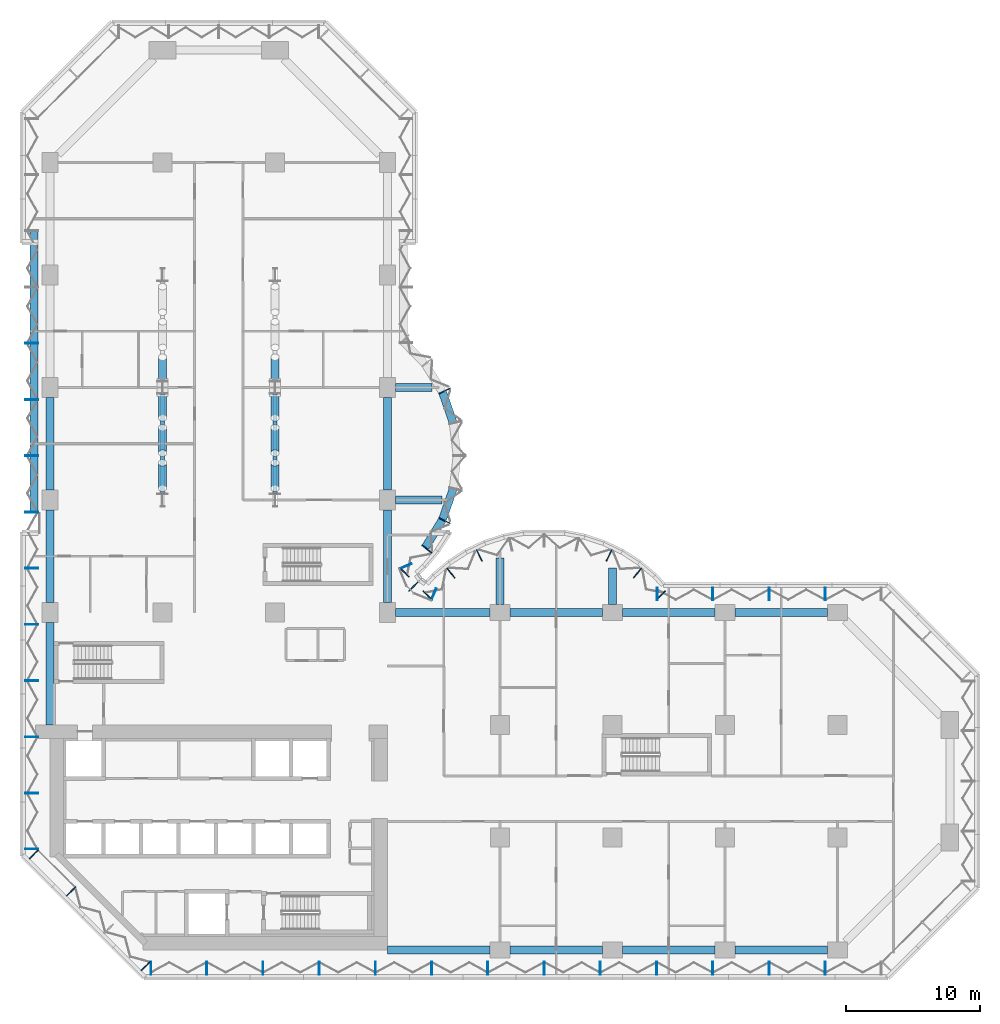
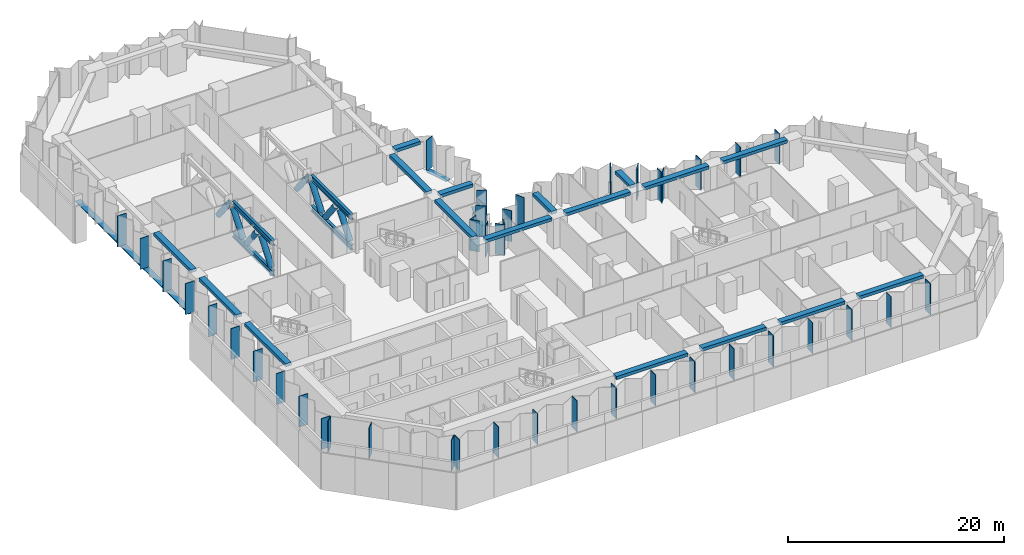
# One storey, part 3 of 24: 59 members, 17 beams, 7 elements without a shape of their own.
"""IFC4 building model written with IfcOpenShell, lengths in metres."""

from ifc_helpers import new_model, si_unit, direction, frame, origin, origin_2d, place, context, subcontext, project, spatial, rectangle, hollow_circle, i_section, extrude, material, material_profile, profile_set, type_object, element, aggregate, save


model = new_model("IFC4")

# Units and contexts
model_context = context("Model", 3, precision=1e-05, world=origin(), true_north=direction((0.0, 1.0)))
body_context = subcontext(model_context, "Body", "Model", "MODEL_VIEW")
ifc_project = project(units=[si_unit("LENGTHUNIT", "METRE"), si_unit("AREAUNIT", "SQUARE_METRE"), si_unit("VOLUMEUNIT", "CUBIC_METRE"), si_unit("PLANEANGLEUNIT", "RADIAN"), si_unit("MASSUNIT", "GRAM", prefix="KILO")], contexts=[model_context])

# Site, building, storey
site_placement = place(None, origin())
site = spatial("IfcSite", under=ifc_project, at=site_placement, CompositionType="ELEMENT")
building_placement = place(site_placement, origin())
building = spatial("IfcBuilding", under=site, at=building_placement, Name="Brevane Broadcast Tower", CompositionType="ELEMENT")
storey_placement = place(building_placement, frame((0.0, 0.0, 36.5)))
storey = spatial("IfcBuildingStorey", under=building, at=storey_placement, Name="L06", CompositionType="ELEMENT", Elevation=36.5)

# Curtain wall, members
ifc_material_1 = material(Name="Aluminium 6063-T6 bronze anodised", Category="aluminium")
curtain_wall_type = type_object("IfcCurtainWallType", Name="CW-1 curtain wall", PredefinedType="NOTDEFINED", material=ifc_material_1)
curtain_wall_1_placement = place(storey_placement, origin())
curtain_wall_1 = element("IfcCurtainWall", 1, at=curtain_wall_1_placement, inside=storey, type_object=curtain_wall_type, Name="CW-1 typical tilted unit L06 south face", PredefinedType="NOTDEFINED")
ifc_material_profile_1 = material_profile(ifc_material_1, rectangle(XDim=0.949951171875, YDim=0.070068359375, at=origin_2d()), Name="RECT 70x950")
ifc_profile_set_1 = profile_set([ifc_material_profile_1], Name="Aluminium 6063-T6 bronze anodised")
member_type_1 = type_object("IfcMemberType", Name="CW-1 mullion 70x950", PredefinedType="MULLION", material=ifc_profile_set_1)
member_1_placement = place(storey_placement, frame((7.534912109375, -1.375, -0.14990234375), z_axis=(0.0, 0.0, 1.0), x_axis=(0.0, 1.0, 0.0)))
member_1 = element("IfcMember", 2, at=member_1_placement, type_object=member_type_1, Name="CW-1 mullion", PredefinedType="MULLION", context=body_context, shape_type="SweptSolid", body=[
    extrude(rectangle(XDim=0.949951171875, YDim=0.070068359375, at=origin_2d()), origin(), (0.0, 0.0, 1.0), 3.5),
])
member_2_placement = place(storey_placement, frame((11.699951171875, -1.375, -0.14990234375), z_axis=(0.0, 0.0, 1.0), x_axis=(0.0, 1.0, 0.0)))
member_2 = element("IfcMember", 3, at=member_2_placement, type_object=member_type_1, Name="CW-1 mullion", PredefinedType="MULLION", context=body_context, shape_type="SweptSolid", body=[
    extrude(rectangle(XDim=0.949951171875, YDim=0.070068359375, at=origin_2d()), origin(), (0.0, 0.0, 1.0), 3.5),
])
member_3_placement = place(storey_placement, frame((15.89990234375, -1.375, -0.14990234375), z_axis=(0.0, 0.0, 1.0), x_axis=(0.0, 1.0, 0.0)))
member_3 = element("IfcMember", 4, at=member_3_placement, type_object=member_type_1, Name="CW-1 mullion", PredefinedType="MULLION", context=body_context, shape_type="SweptSolid", body=[
    extrude(rectangle(XDim=0.949951171875, YDim=0.070068359375, at=origin_2d()), origin(), (0.0, 0.0, 1.0), 3.5),
])
member_4_placement = place(storey_placement, frame((20.10009765625, -1.375, -0.14990234375), z_axis=(0.0, 0.0, 1.0), x_axis=(0.0, 1.0, 0.0)))
member_4 = element("IfcMember", 5, at=member_4_placement, type_object=member_type_1, Name="CW-1 mullion", PredefinedType="MULLION", context=body_context, shape_type="SweptSolid", body=[
    extrude(rectangle(XDim=0.949951171875, YDim=0.070068359375, at=origin_2d()), origin(), (0.0, 0.0, 1.0), 3.5),
])
member_5_placement = place(storey_placement, frame((24.300048828125, -1.375, -0.14990234375), z_axis=(0.0, 0.0, 1.0), x_axis=(0.0, 1.0, 0.0)))
member_5 = element("IfcMember", 6, at=member_5_placement, type_object=member_type_1, Name="CW-1 mullion", PredefinedType="MULLION", context=body_context, shape_type="SweptSolid", body=[
    extrude(rectangle(XDim=0.949951171875, YDim=0.070068359375, at=origin_2d()), origin(), (0.0, 0.0, 1.0), 3.5),
])
member_6_placement = place(storey_placement, frame((28.5, -1.375, -0.14990234375), z_axis=(0.0, 0.0, 1.0), x_axis=(0.0, 1.0, 0.0)))
member_6 = element("IfcMember", 7, at=member_6_placement, type_object=member_type_1, Name="CW-1 mullion", PredefinedType="MULLION", context=body_context, shape_type="SweptSolid", body=[
    extrude(rectangle(XDim=0.949951171875, YDim=0.070068359375, at=origin_2d()), origin(), (0.0, 0.0, 1.0), 3.5),
])
member_7_placement = place(storey_placement, frame((32.699951171875, -1.375, -0.14990234375), z_axis=(0.0, 0.0, 1.0), x_axis=(0.0, 1.0, 0.0)))
member_7 = element("IfcMember", 8, at=member_7_placement, type_object=member_type_1, Name="CW-1 mullion", PredefinedType="MULLION", context=body_context, shape_type="SweptSolid", body=[
    extrude(rectangle(XDim=0.949951171875, YDim=0.070068359375, at=origin_2d()), origin(), (0.0, 0.0, 1.0), 3.5),
])
member_8_placement = place(storey_placement, frame((36.89990234375, -1.375, -0.14990234375), z_axis=(0.0, 0.0, 1.0), x_axis=(0.0, 1.0, 0.0)))
member_8 = element("IfcMember", 9, at=member_8_placement, type_object=member_type_1, Name="CW-1 mullion", PredefinedType="MULLION", context=body_context, shape_type="SweptSolid", body=[
    extrude(rectangle(XDim=0.949951171875, YDim=0.070068359375, at=origin_2d()), origin(), (0.0, 0.0, 1.0), 3.5),
])
member_9_placement = place(storey_placement, frame((41.10009765625, -1.375, -0.14990234375), z_axis=(0.0, 0.0, 1.0), x_axis=(0.0, 1.0, 0.0)))
member_9 = element("IfcMember", 10, at=member_9_placement, type_object=member_type_1, Name="CW-1 mullion", PredefinedType="MULLION", context=body_context, shape_type="SweptSolid", body=[
    extrude(rectangle(XDim=0.949951171875, YDim=0.070068359375, at=origin_2d()), origin(), (0.0, 0.0, 1.0), 3.5),
])
member_10_placement = place(storey_placement, frame((45.300048828125, -1.375, -0.14990234375), z_axis=(0.0, 0.0, 1.0), x_axis=(0.0, 1.0, 0.0)))
member_10 = element("IfcMember", 11, at=member_10_placement, type_object=member_type_1, Name="CW-1 mullion", PredefinedType="MULLION", context=body_context, shape_type="SweptSolid", body=[
    extrude(rectangle(XDim=0.949951171875, YDim=0.070068359375, at=origin_2d()), origin(), (0.0, 0.0, 1.0), 3.5),
])
member_11_placement = place(storey_placement, frame((49.5, -1.375, -0.14990234375), z_axis=(0.0, 0.0, 1.0), x_axis=(0.0, 1.0, 0.0)))
member_11 = element("IfcMember", 12, at=member_11_placement, type_object=member_type_1, Name="CW-1 mullion", PredefinedType="MULLION", context=body_context, shape_type="SweptSolid", body=[
    extrude(rectangle(XDim=0.949951171875, YDim=0.070068359375, at=origin_2d()), origin(), (0.0, 0.0, 1.0), 3.5),
])
member_12_placement = place(storey_placement, frame((53.699951171875, -1.375, -0.14990234375), z_axis=(0.0, 0.0, 1.0), x_axis=(0.0, 1.0, 0.0)))
member_12 = element("IfcMember", 13, at=member_12_placement, type_object=member_type_1, Name="CW-1 mullion", PredefinedType="MULLION", context=body_context, shape_type="SweptSolid", body=[
    extrude(rectangle(XDim=0.949951171875, YDim=0.070068359375, at=origin_2d()), origin(), (0.0, 0.0, 1.0), 3.5),
])
member_13_placement = place(storey_placement, frame((57.89990234375, -1.375, -0.14990234375), z_axis=(0.0, 0.0, 1.0), x_axis=(0.0, 1.0, 0.0)))
member_13 = element("IfcMember", 14, at=member_13_placement, type_object=member_type_1, Name="CW-1 mullion", PredefinedType="MULLION", context=body_context, shape_type="SweptSolid", body=[
    extrude(rectangle(XDim=0.949951171875, YDim=0.070068359375, at=origin_2d()), origin(), (0.0, 0.0, 1.0), 3.5),
])
aggregate(curtain_wall_1, [member_1, member_2, member_3, member_4, member_5, member_6, member_7, member_8, member_9, member_10, member_11, member_12, member_13])

curtain_wall_2_placement = place(storey_placement, origin())
curtain_wall_2 = element("IfcCurtainWall", 15, at=curtain_wall_2_placement, inside=storey, type_object=curtain_wall_type, Name="CW-1 typical tilted unit L06 east arm north face", PredefinedType="NOTDEFINED")
member_14_placement = place(storey_placement, frame((57.89990234375, 26.574951171875, -0.14990234375), z_axis=(0.0, 0.0, 1.0), x_axis=(0.0, -1.0, 0.0)))
member_14 = element("IfcMember", 16, at=member_14_placement, type_object=member_type_1, Name="CW-1 mullion", PredefinedType="MULLION", context=body_context, shape_type="SweptSolid", body=[
    extrude(rectangle(XDim=0.949951171875, YDim=0.070068359375, at=origin_2d()), origin(), (0.0, 0.0, 1.0), 3.5),
])
member_15_placement = place(storey_placement, frame((53.699951171875, 26.574951171875, -0.14990234375), z_axis=(0.0, 0.0, 1.0), x_axis=(0.0, -1.0, 0.0)))
member_15 = element("IfcMember", 17, at=member_15_placement, type_object=member_type_1, Name="CW-1 mullion", PredefinedType="MULLION", context=body_context, shape_type="SweptSolid", body=[
    extrude(rectangle(XDim=0.949951171875, YDim=0.070068359375, at=origin_2d()), origin(), (0.0, 0.0, 1.0), 3.5),
])
member_16_placement = place(storey_placement, frame((49.5, 26.574951171875, -0.14990234375), z_axis=(0.0, 0.0, 1.0), x_axis=(0.0, -1.0, 0.0)))
member_16 = element("IfcMember", 18, at=member_16_placement, type_object=member_type_1, Name="CW-1 mullion", PredefinedType="MULLION", context=body_context, shape_type="SweptSolid", body=[
    extrude(rectangle(XDim=0.949951171875, YDim=0.070068359375, at=origin_2d()), origin(), (0.0, 0.0, 1.0), 3.5),
])
member_17_placement = place(storey_placement, frame((45.3349609375, 26.574951171875, -0.14990234375), z_axis=(0.0, 0.0, 1.0), x_axis=(0.0, -1.0, 0.0)))
member_17 = element("IfcMember", 19, at=member_17_placement, type_object=member_type_1, Name="CW-1 mullion", PredefinedType="MULLION", context=body_context, shape_type="SweptSolid", body=[
    extrude(rectangle(XDim=0.949951171875, YDim=0.070068359375, at=origin_2d()), origin(), (0.0, 0.0, 1.0), 3.5),
])
aggregate(curtain_wall_2, [member_14, member_15, member_16, member_17])

curtain_wall_3_placement = place(storey_placement, origin())
curtain_wall_3 = element("IfcCurtainWall", 20, at=curtain_wall_3_placement, inside=storey, type_object=curtain_wall_type, Name="CW-1 typical tilted unit L06 east bow", PredefinedType="NOTDEFINED")
member_18_placement = place(storey_placement, frame((45.60595703125, 26.465087890625, -0.14990234375), z_axis=(0.0, 0.0, 1.0), x_axis=(-0.696811941702, -0.717253872699, 0.0)))
member_18 = element("IfcMember", 21, at=member_18_placement, type_object=member_type_1, Name="CW-1 mullion", PredefinedType="MULLION", context=body_context, shape_type="SweptSolid", body=[
    extrude(rectangle(XDim=0.949951171875, YDim=0.070068359375, at=origin_2d()), origin(), (0.0, 0.0, 1.0), 3.5),
])
member_19_placement = place(storey_placement, frame((43.8720703125, 28.1455078125, -0.14990234375), z_axis=(0.0, 0.0, 1.0), x_axis=(-0.614769738617, -0.788706642853, 0.0)))
member_19 = element("IfcMember", 22, at=member_19_placement, type_object=member_type_1, Name="CW-1 mullion", PredefinedType="MULLION", context=body_context, shape_type="SweptSolid", body=[
    extrude(rectangle(XDim=0.949951171875, YDim=0.070068359375, at=origin_2d()), origin(), (0.0, 0.0, 1.0), 3.5),
])
member_20_placement = place(storey_placement, frame((41.746826171875, 29.4580078125, -0.14990234375), z_axis=(0.0, 0.0, 1.0), x_axis=(-0.429933601163, -0.902860508933, 0.0)))
member_20 = element("IfcMember", 23, at=member_20_placement, type_object=member_type_1, Name="CW-1 mullion", PredefinedType="MULLION", context=body_context, shape_type="SweptSolid", body=[
    extrude(rectangle(XDim=0.949951171875, YDim=0.070068359375, at=origin_2d()), origin(), (0.0, 0.0, 1.0), 3.5),
])
member_21_placement = place(storey_placement, frame((32.05322265625, 29.4580078125, -0.14990234375), z_axis=(0.0, 0.0, 1.0), x_axis=(0.429933601163, -0.902860508933, 0.0)))
member_21 = element("IfcMember", 24, at=member_21_placement, type_object=member_type_1, Name="CW-1 mullion", PredefinedType="MULLION", context=body_context, shape_type="SweptSolid", body=[
    extrude(rectangle(XDim=0.949951171875, YDim=0.070068359375, at=origin_2d()), origin(), (0.0, 0.0, 1.0), 3.5),
])
member_22_placement = place(storey_placement, frame((29.927978515625, 28.1455078125, -0.14990234375), z_axis=(0.0, 0.0, 1.0), x_axis=(0.614769738617, -0.788706642853, 0.0)))
member_22 = element("IfcMember", 25, at=member_22_placement, type_object=member_type_1, Name="CW-1 mullion", PredefinedType="MULLION", context=body_context, shape_type="SweptSolid", body=[
    extrude(rectangle(XDim=0.949951171875, YDim=0.070068359375, at=origin_2d()), origin(), (0.0, 0.0, 1.0), 3.5),
])
member_23_placement = place(storey_placement, frame((28.194091796875, 26.465087890625, -0.14990234375), z_axis=(0.0, 0.0, 1.0), x_axis=(0.696811941702, -0.717253872699, 0.0)))
member_23 = element("IfcMember", 26, at=member_23_placement, type_object=member_type_1, Name="CW-1 mullion", PredefinedType="MULLION", context=body_context, shape_type="SweptSolid", body=[
    extrude(rectangle(XDim=0.949951171875, YDim=0.070068359375, at=origin_2d()), origin(), (0.0, 0.0, 1.0), 3.5),
])
aggregate(curtain_wall_3, [member_18, member_19, member_20, member_21, member_22, member_23])

curtain_wall_4_placement = place(storey_placement, origin())
curtain_wall_4 = element("IfcCurtainWall", 27, at=curtain_wall_4_placement, inside=storey, type_object=curtain_wall_type, Name="CW-1 typical tilted unit L06 inner corner", PredefinedType="NOTDEFINED")
member_24_placement = place(storey_placement, frame((28.6494140625, 26.55224609375, -0.14990234375), z_axis=(0.0, 0.0, 1.0), x_axis=(-0.382683612978, -0.923879457699, 0.0)))
member_24 = element("IfcMember", 28, at=member_24_placement, type_object=member_type_1, Name="CW-1 mullion", PredefinedType="MULLION", context=body_context, shape_type="SweptSolid", body=[
    extrude(rectangle(XDim=0.949951171875, YDim=0.070068359375, at=origin_2d()), origin(), (0.0, 0.0, 1.0), 3.5),
])
member_25_placement = place(storey_placement, frame((27.138916015625, 27.138916015625, -0.14990234375), z_axis=(0.0, 0.0, 1.0), x_axis=(-0.707106781187, -0.707106781187, 0.0)))
member_25 = element("IfcMember", 29, at=member_25_placement, type_object=member_type_1, Name="CW-1 mullion", PredefinedType="MULLION", context=body_context, shape_type="SweptSolid", body=[
    extrude(rectangle(XDim=0.949951171875, YDim=0.070068359375, at=origin_2d()), origin(), (0.0, 0.0, 1.0), 3.5),
])
member_26_placement = place(storey_placement, frame((26.55224609375, 28.6494140625, -0.14990234375), z_axis=(0.0, 0.0, 1.0), x_axis=(-0.923879457699, -0.382683612978, 0.0)))
member_26 = element("IfcMember", 30, at=member_26_placement, type_object=member_type_1, Name="CW-1 mullion", PredefinedType="MULLION", context=body_context, shape_type="SweptSolid", body=[
    extrude(rectangle(XDim=0.949951171875, YDim=0.070068359375, at=origin_2d()), origin(), (0.0, 0.0, 1.0), 3.5),
])
aggregate(curtain_wall_4, [member_24, member_25, member_26])

curtain_wall_5_placement = place(storey_placement, origin())
curtain_wall_5 = element("IfcCurtainWall", 31, at=curtain_wall_5_placement, inside=storey, type_object=curtain_wall_type, Name="CW-1 typical tilted unit L06 north bow", PredefinedType="NOTDEFINED")
member_27_placement = place(storey_placement, frame((26.465087890625, 28.194091796875, -0.14990234375), z_axis=(0.0, 0.0, 1.0), x_axis=(-0.717253872699, 0.696811941702, 0.0)))
member_27 = element("IfcMember", 32, at=member_27_placement, type_object=member_type_1, Name="CW-1 mullion", PredefinedType="MULLION", context=body_context, shape_type="SweptSolid", body=[
    extrude(rectangle(XDim=0.949951171875, YDim=0.070068359375, at=origin_2d()), origin(), (0.0, 0.0, 1.0), 3.5),
])
member_28_placement = place(storey_placement, frame((28.1455078125, 29.927978515625, -0.14990234375), z_axis=(0.0, 0.0, 1.0), x_axis=(-0.788706642853, 0.614769738617, 0.0)))
member_28 = element("IfcMember", 33, at=member_28_placement, type_object=member_type_1, Name="CW-1 mullion", PredefinedType="MULLION", context=body_context, shape_type="SweptSolid", body=[
    extrude(rectangle(XDim=0.949951171875, YDim=0.070068359375, at=origin_2d()), origin(), (0.0, 0.0, 1.0), 3.5),
])
member_29_placement = place(storey_placement, frame((29.4580078125, 32.05322265625, -0.14990234375), z_axis=(0.0, 0.0, 1.0), x_axis=(-0.902860508933, 0.429933601163, 0.0)))
member_29 = element("IfcMember", 34, at=member_29_placement, type_object=member_type_1, Name="CW-1 mullion", PredefinedType="MULLION", context=body_context, shape_type="SweptSolid", body=[
    extrude(rectangle(XDim=0.949951171875, YDim=0.070068359375, at=origin_2d()), origin(), (0.0, 0.0, 1.0), 3.5),
])
member_30_placement = place(storey_placement, frame((29.4580078125, 41.746826171875, -0.14990234375), z_axis=(0.0, 0.0, 1.0), x_axis=(-0.902860508933, -0.429933601163, 0.0)))
member_30 = element("IfcMember", 35, at=member_30_placement, type_object=member_type_1, Name="CW-1 mullion", PredefinedType="MULLION", context=body_context, shape_type="SweptSolid", body=[
    extrude(rectangle(XDim=0.949951171875, YDim=0.070068359375, at=origin_2d()), origin(), (0.0, 0.0, 1.0), 3.5),
])

curtain_wall_6_placement = place(storey_placement, origin())
curtain_wall_6 = element("IfcCurtainWall", 36, at=curtain_wall_6_placement, inside=storey, type_object=curtain_wall_type, Name="CW-1 typical tilted unit L06 west face", PredefinedType="NOTDEFINED")
member_31_placement = place(storey_placement, frame((-1.375, 45.300048828125, -0.14990234375), z_axis=(0.0, 0.0, 1.0), x_axis=(1.0, 0.0, 0.0)))
member_31 = element("IfcMember", 37, at=member_31_placement, type_object=member_type_1, Name="CW-1 mullion", PredefinedType="MULLION", context=body_context, shape_type="SweptSolid", body=[
    extrude(rectangle(XDim=0.949951171875, YDim=0.070068359375, at=origin_2d()), origin(), (0.0, 0.0, 1.0), 3.5),
])
member_32_placement = place(storey_placement, frame((-1.375, 41.10009765625, -0.14990234375), z_axis=(0.0, 0.0, 1.0), x_axis=(1.0, 0.0, 0.0)))
member_32 = element("IfcMember", 38, at=member_32_placement, type_object=member_type_1, Name="CW-1 mullion", PredefinedType="MULLION", context=body_context, shape_type="SweptSolid", body=[
    extrude(rectangle(XDim=0.949951171875, YDim=0.070068359375, at=origin_2d()), origin(), (0.0, 0.0, 1.0), 3.5),
])
member_33_placement = place(storey_placement, frame((-1.375, 36.89990234375, -0.14990234375), z_axis=(0.0, 0.0, 1.0), x_axis=(1.0, 0.0, 0.0)))
member_33 = element("IfcMember", 39, at=member_33_placement, type_object=member_type_1, Name="CW-1 mullion", PredefinedType="MULLION", context=body_context, shape_type="SweptSolid", body=[
    extrude(rectangle(XDim=0.949951171875, YDim=0.070068359375, at=origin_2d()), origin(), (0.0, 0.0, 1.0), 3.5),
])
member_34_placement = place(storey_placement, frame((-1.375, 32.699951171875, -0.14990234375), z_axis=(0.0, 0.0, 1.0), x_axis=(1.0, 0.0, 0.0)))
member_34 = element("IfcMember", 40, at=member_34_placement, type_object=member_type_1, Name="CW-1 mullion", PredefinedType="MULLION", context=body_context, shape_type="SweptSolid", body=[
    extrude(rectangle(XDim=0.949951171875, YDim=0.070068359375, at=origin_2d()), origin(), (0.0, 0.0, 1.0), 3.5),
])
member_35_placement = place(storey_placement, frame((-1.375, 28.5, -0.14990234375), z_axis=(0.0, 0.0, 1.0), x_axis=(1.0, 0.0, 0.0)))
member_35 = element("IfcMember", 41, at=member_35_placement, type_object=member_type_1, Name="CW-1 mullion", PredefinedType="MULLION", context=body_context, shape_type="SweptSolid", body=[
    extrude(rectangle(XDim=0.949951171875, YDim=0.070068359375, at=origin_2d()), origin(), (0.0, 0.0, 1.0), 3.5),
])
member_36_placement = place(storey_placement, frame((-1.375, 24.300048828125, -0.14990234375), z_axis=(0.0, 0.0, 1.0), x_axis=(1.0, 0.0, 0.0)))
member_36 = element("IfcMember", 42, at=member_36_placement, type_object=member_type_1, Name="CW-1 mullion", PredefinedType="MULLION", context=body_context, shape_type="SweptSolid", body=[
    extrude(rectangle(XDim=0.949951171875, YDim=0.070068359375, at=origin_2d()), origin(), (0.0, 0.0, 1.0), 3.5),
])
member_37_placement = place(storey_placement, frame((-1.375, 20.10009765625, -0.14990234375), z_axis=(0.0, 0.0, 1.0), x_axis=(1.0, 0.0, 0.0)))
member_37 = element("IfcMember", 43, at=member_37_placement, type_object=member_type_1, Name="CW-1 mullion", PredefinedType="MULLION", context=body_context, shape_type="SweptSolid", body=[
    extrude(rectangle(XDim=0.949951171875, YDim=0.070068359375, at=origin_2d()), origin(), (0.0, 0.0, 1.0), 3.5),
])
member_38_placement = place(storey_placement, frame((-1.375, 15.89990234375, -0.14990234375), z_axis=(0.0, 0.0, 1.0), x_axis=(1.0, 0.0, 0.0)))
member_38 = element("IfcMember", 44, at=member_38_placement, type_object=member_type_1, Name="CW-1 mullion", PredefinedType="MULLION", context=body_context, shape_type="SweptSolid", body=[
    extrude(rectangle(XDim=0.949951171875, YDim=0.070068359375, at=origin_2d()), origin(), (0.0, 0.0, 1.0), 3.5),
])
member_39_placement = place(storey_placement, frame((-1.375, 11.699951171875, -0.14990234375), z_axis=(0.0, 0.0, 1.0), x_axis=(1.0, 0.0, 0.0)))
member_39 = element("IfcMember", 45, at=member_39_placement, type_object=member_type_1, Name="CW-1 mullion", PredefinedType="MULLION", context=body_context, shape_type="SweptSolid", body=[
    extrude(rectangle(XDim=0.949951171875, YDim=0.070068359375, at=origin_2d()), origin(), (0.0, 0.0, 1.0), 3.5),
])
member_40_placement = place(storey_placement, frame((-1.375, 7.534912109375, -0.14990234375), z_axis=(0.0, 0.0, 1.0), x_axis=(1.0, 0.0, 0.0)))
member_40 = element("IfcMember", 46, at=member_40_placement, type_object=member_type_1, Name="CW-1 mullion", PredefinedType="MULLION", context=body_context, shape_type="SweptSolid", body=[
    extrude(rectangle(XDim=0.949951171875, YDim=0.070068359375, at=origin_2d()), origin(), (0.0, 0.0, 1.0), 3.5),
])

curtain_wall_7_placement = place(storey_placement, origin())
curtain_wall_7 = element("IfcCurtainWall", 47, at=curtain_wall_7_placement, inside=storey, type_object=curtain_wall_type, Name="CW-1 typical tilted unit L06 south-west chamfer", PredefinedType="NOTDEFINED")
member_41_placement = place(storey_placement, frame((-1.211181640625, 7.139404296875, -0.14990234375), z_axis=(0.0, 0.0, 1.0), x_axis=(0.707106781187, 0.707106781187, 0.0)))
member_41 = element("IfcMember", 48, at=member_41_placement, type_object=member_type_1, Name="CW-1 mullion", PredefinedType="MULLION", context=body_context, shape_type="SweptSolid", body=[
    extrude(rectangle(XDim=0.949951171875, YDim=0.070068359375, at=origin_2d()), origin(), (0.0, 0.0, 1.0), 3.5),
])
member_42_placement = place(storey_placement, frame((1.564208984375, 4.364013671875, -0.14990234375), z_axis=(0.0, 0.0, 1.0), x_axis=(0.707106781187, 0.707106781187, 0.0)))
member_42 = element("IfcMember", 49, at=member_42_placement, type_object=member_type_1, Name="CW-1 mullion", PredefinedType="MULLION", context=body_context, shape_type="SweptSolid", body=[
    extrude(rectangle(XDim=0.949951171875, YDim=0.070068359375, at=origin_2d()), origin(), (0.0, 0.0, 1.0), 3.5),
])
member_43_placement = place(storey_placement, frame((7.139404296875, -1.211181640625, -0.14990234375), z_axis=(0.0, 0.0, 1.0), x_axis=(0.707106781187, 0.707106781187, 0.0)))
member_43 = element("IfcMember", 50, at=member_43_placement, type_object=member_type_1, Name="CW-1 mullion", PredefinedType="MULLION", context=body_context, shape_type="SweptSolid", body=[
    extrude(rectangle(XDim=0.949951171875, YDim=0.070068359375, at=origin_2d()), origin(), (0.0, 0.0, 1.0), 3.5),
])
aggregate(curtain_wall_7, [member_41, member_42, member_43])

# Member
ifc_material_profile_2 = material_profile(ifc_material_1, rectangle(XDim=0.60009765625, YDim=0.10009765625, at=origin_2d()), Name="RECT 100x600")
ifc_profile_set_2 = profile_set([ifc_material_profile_2], Name="Aluminium 6063-T6 bronze anodised")
member_type_2 = type_object("IfcMemberType", Name="CW-1 transom 100x600", PredefinedType="USERDEFINED", material=ifc_profile_set_2)
member_44_placement = place(storey_placement, frame((28.023193359375, 30.0576171875, -0.199951171875), z_axis=(0.525427766759, 0.850838211365, 0.0), x_axis=(-0.850838211365, 0.525427766759, 0.0)))
member_44 = element("IfcMember", 51, at=member_44_placement, type_object=member_type_2, Name="CW-1 transom", ObjectType="TRANSOM", PredefinedType="USERDEFINED", context=body_context, shape_type="SweptSolid", body=[
    extrude(rectangle(XDim=0.60009765625, YDim=0.10009765625, at=origin_2d()), origin(), (0.0, 0.0, 1.0), 2.394775390625),
])

member_45_placement = place(storey_placement, frame((29.314208984375, 32.163818359375, -0.199951171875), z_axis=(0.329378497041, 0.944197969542, 0.0), x_axis=(-0.944197969542, 0.329378497041, 0.0)))
member_45 = element("IfcMember", 52, at=member_45_placement, type_object=member_type_2, Name="CW-1 transom", ObjectType="TRANSOM", PredefinedType="USERDEFINED", context=body_context, shape_type="SweptSolid", body=[
    extrude(rectangle(XDim=0.60009765625, YDim=0.10009765625, at=origin_2d()), origin(), (0.0, 0.0, 1.0), 2.394775390625),
])

member_46_placement = place(storey_placement, frame((30.10302734375, 39.375, -0.199951171875), z_axis=(-0.329378497041, 0.944197969542, 0.0), x_axis=(-0.944197969542, -0.329378497041, 0.0)))
member_46 = element("IfcMember", 53, at=member_46_placement, type_object=member_type_2, Name="CW-1 transom", ObjectType="TRANSOM", PredefinedType="USERDEFINED", context=body_context, shape_type="SweptSolid", body=[
    extrude(rectangle(XDim=0.60009765625, YDim=0.10009765625, at=origin_2d()), origin(), (0.0, 0.0, 1.0), 2.394775390625),
])

aggregate(curtain_wall_5, [member_27, member_28, member_29, member_30, member_44, member_45, member_46])

member_47_placement = place(storey_placement, frame((-1.199951171875, 53.699951171875, -0.199951171875), z_axis=(0.0, -1.0, 0.0), x_axis=(1.0, 0.0, 0.0)))
member_47 = element("IfcMember", 54, at=member_47_placement, type_object=member_type_2, Name="CW-1 transom", ObjectType="TRANSOM", PredefinedType="USERDEFINED", context=body_context, shape_type="SweptSolid", body=[
    extrude(rectangle(XDim=0.60009765625, YDim=0.10009765625, at=origin_2d()), origin(), (0.0, 0.0, 1.0), 21.0),
])

aggregate(curtain_wall_6, [member_31, member_32, member_33, member_34, member_35, member_36, member_37, member_38, member_39, member_40, member_47])

# Beams
ifc_material_2 = material(Name="Concrete C40/50", Category="concrete")
ifc_material_profile_3 = material_profile(ifc_material_2, rectangle(XDim=0.60009765625, YDim=0.35009765625, at=origin_2d()), Name="RC 600x350")
ifc_profile_set_3 = profile_set([ifc_material_profile_3], Name="Concrete C40/50")
beam_type_1 = type_object("IfcBeamType", Name="RC BRACKET BEAM 600x350 C40/50", PredefinedType="BEAM", material=ifc_profile_set_3)
beam_1_placement = place(storey_placement, frame((25.800048828125, 33.60009765625, 3.175048828125), z_axis=(1.0, 0.0, 0.0), x_axis=(0.0, 1.0, 0.0)))
element("IfcBeam", 55, at=beam_1_placement, inside=storey, type_object=beam_type_1, Name="EB2 L06-1", PredefinedType="BEAM", context=body_context, shape_type="SweptSolid", body=[
    extrude(rectangle(XDim=0.60009765625, YDim=0.35009765625, at=origin_2d()), origin(), (0.0, 0.0, 1.0), 3.4619140625),
])
beam_2_placement = place(storey_placement, frame((25.800048828125, 42.0, 3.175048828125), z_axis=(1.0, 0.0, 0.0), x_axis=(0.0, 1.0, 0.0)))
element("IfcBeam", 56, at=beam_2_placement, inside=storey, type_object=beam_type_1, Name="EB2 L06-2", PredefinedType="BEAM", context=body_context, shape_type="SweptSolid", body=[
    extrude(rectangle(XDim=0.60009765625, YDim=0.35009765625, at=origin_2d()), origin(), (0.0, 0.0, 1.0), 2.71142578125),
])
beam_3_placement = place(storey_placement, frame((33.60009765625, 25.800048828125, 3.175048828125), z_axis=(0.0, 1.0, 0.0), x_axis=(-1.0, 0.0, 0.0)))
element("IfcBeam", 57, at=beam_3_placement, inside=storey, type_object=beam_type_1, Name="EB2 L06-3", PredefinedType="BEAM", context=body_context, shape_type="SweptSolid", body=[
    extrude(rectangle(XDim=0.60009765625, YDim=0.35009765625, at=origin_2d()), origin(), (0.0, 0.0, 1.0), 3.4619140625),
])
beam_4_placement = place(storey_placement, frame((42.0, 25.800048828125, 3.175048828125), z_axis=(0.0, 1.0, 0.0), x_axis=(-1.0, 0.0, 0.0)))
element("IfcBeam", 58, at=beam_4_placement, inside=storey, type_object=beam_type_1, Name="EB2 L06-4", PredefinedType="BEAM", context=body_context, shape_type="SweptSolid", body=[
    extrude(rectangle(XDim=0.60009765625, YDim=0.35009765625, at=origin_2d()), origin(), (0.0, 0.0, 1.0), 2.71142578125),
])
ifc_material_profile_4 = material_profile(ifc_material_2, rectangle(XDim=0.60009765625, YDim=0.35009765625, at=origin_2d()), Name="RC 600x350")
ifc_profile_set_4 = profile_set([ifc_material_profile_4], Name="Concrete C40/50")
beam_type_2 = type_object("IfcBeamType", Name="RC SPANDREL BEAM 600x350 C40/50", PredefinedType="SPANDREL", material=ifc_profile_set_4)
beam_5_placement = place(storey_placement, frame((25.199951171875, 0.0, 3.175048828125), z_axis=(1.0, 0.0, 0.0), x_axis=(0.0, 1.0, 0.0)))
element("IfcBeam", 59, at=beam_5_placement, inside=storey, type_object=beam_type_2, Name="EB1 L06-1", PredefinedType="SPANDREL", context=body_context, shape_type="SweptSolid", body=[
    extrude(rectangle(XDim=0.60009765625, YDim=0.35009765625, at=origin_2d()), origin(), (0.0, 0.0, 1.0), 7.650146484375),
])
for number, where, z_axis, x_axis, name in (
    (60, (34.35009765625, 0.0, 3.175048828125), (1.0, 0.0, 0.0), (0.0, 1.0, 0.0), "EB1 L06-2"),
    (61, (42.75, 0.0, 3.175048828125), (1.0, 0.0, 0.0), (0.0, 1.0, 0.0), "EB1 L06-3"),
):
    element("IfcBeam", number, at=place(storey_placement, frame(where, z_axis=z_axis, x_axis=x_axis)), inside=storey, type_object=beam_type_2, Name=name, PredefinedType="SPANDREL", context=body_context, shape_type="SweptSolid", body=[
        extrude(rectangle(XDim=0.60009765625, YDim=0.35009765625, at=origin_2d()), origin(), (0.0, 0.0, 1.0), 6.89990234375),
    ])
for number, where, z_axis, x_axis, name in (
    (62, (51.14990234375, 0.0, 3.175048828125), (1.0, 0.0, 0.0), (0.0, 1.0, 0.0), "EB1 L06-4"),
    (63, (58.050048828125, 25.199951171875, 3.175048828125), (-1.0, 0.0, 0.0), (0.0, -1.0, 0.0), "EB1 L06-8"),
):
    element("IfcBeam", number, at=place(storey_placement, frame(where, z_axis=z_axis, x_axis=x_axis)), inside=storey, type_object=beam_type_2, Name=name, PredefinedType="SPANDREL", context=body_context, shape_type="SweptSolid", body=[
        extrude(rectangle(XDim=0.60009765625, YDim=0.35009765625, at=origin_2d()), origin(), (0.0, 0.0, 1.0), 6.900146484375),
    ])
for number, where, z_axis, x_axis, name in (
    (64, (49.64990234375, 25.199951171875, 3.175048828125), (-1.0, 0.0, 0.0), (0.0, -1.0, 0.0), "EB1 L06-9"),
    (65, (41.25, 25.199951171875, 3.175048828125), (-1.0, 0.0, 0.0), (0.0, -1.0, 0.0), "EB1 L06-10"),
):
    element("IfcBeam", number, at=place(storey_placement, frame(where, z_axis=z_axis, x_axis=x_axis)), inside=storey, type_object=beam_type_2, Name=name, PredefinedType="SPANDREL", context=body_context, shape_type="SweptSolid", body=[
        extrude(rectangle(XDim=0.60009765625, YDim=0.35009765625, at=origin_2d()), origin(), (0.0, 0.0, 1.0), 6.89990234375),
    ])
beam_6_placement = place(storey_placement, frame((32.85009765625, 25.199951171875, 3.175048828125), z_axis=(-1.0, 0.0, 0.0), x_axis=(0.0, -1.0, 0.0)))
element("IfcBeam", 66, at=beam_6_placement, inside=storey, type_object=beam_type_2, Name="EB1 L06-11", PredefinedType="SPANDREL", context=body_context, shape_type="SweptSolid", body=[
    extrude(rectangle(XDim=0.60009765625, YDim=0.35009765625, at=origin_2d()), origin(), (0.0, 0.0, 1.0), 7.050048828125),
])
beam_7_placement = place(storey_placement, frame((25.199951171875, 25.949951171875, 3.175048828125), z_axis=(0.0, 1.0, 0.0), x_axis=(-1.0, 0.0, 0.0)))
element("IfcBeam", 67, at=beam_7_placement, inside=storey, type_object=beam_type_2, Name="EB1 L06-12", PredefinedType="SPANDREL", context=body_context, shape_type="SweptSolid", body=[
    extrude(rectangle(XDim=0.60009765625, YDim=0.35009765625, at=origin_2d()), origin(), (0.0, 0.0, 1.0), 6.900146484375),
])
for number, where, z_axis, x_axis, name in (
    (68, (25.199951171875, 34.35009765625, 3.175048828125), (0.0, 1.0, 0.0), (-1.0, 0.0, 0.0), "EB1 L06-13"),
    (69, (0.0, 41.25, 3.175048828125), (0.0, -1.0, 0.0), (1.0, 0.0, 0.0), "EB1 L06-21"),
):
    element("IfcBeam", number, at=place(storey_placement, frame(where, z_axis=z_axis, x_axis=x_axis)), inside=storey, type_object=beam_type_2, Name=name, PredefinedType="SPANDREL", context=body_context, shape_type="SweptSolid", body=[
        extrude(rectangle(XDim=0.60009765625, YDim=0.35009765625, at=origin_2d()), origin(), (0.0, 0.0, 1.0), 6.89990234375),
    ])
beam_8_placement = place(storey_placement, frame((0.0, 32.85009765625, 3.175048828125), z_axis=(0.0, -1.0, 0.0), x_axis=(1.0, 0.0, 0.0)))
element("IfcBeam", 70, at=beam_8_placement, inside=storey, type_object=beam_type_2, Name="EB1 L06-22", PredefinedType="SPANDREL", context=body_context, shape_type="SweptSolid", body=[
    extrude(rectangle(XDim=0.60009765625, YDim=0.35009765625, at=origin_2d()), origin(), (0.0, 0.0, 1.0), 6.900146484375),
])
beam_9_placement = place(storey_placement, frame((0.0, 24.449951171875, 3.175048828125), z_axis=(0.0, -1.0, 0.0), x_axis=(1.0, 0.0, 0.0)))
element("IfcBeam", 71, at=beam_9_placement, inside=storey, type_object=beam_type_2, Name="EB1 L06-23", PredefinedType="SPANDREL", context=body_context, shape_type="SweptSolid", body=[
    extrude(rectangle(XDim=0.60009765625, YDim=0.35009765625, at=origin_2d()), origin(), (0.0, 0.0, 1.0), 7.64990234375),
])

# Members
ifc_material_3 = material(Name="Steel S355", Category="steel")
ifc_material_profile_5 = material_profile(ifc_material_3, i_section(OverallWidth=0.304931640625, OverallDepth=0.6201171875, WebThickness=0.02099609375, FlangeThickness=0.0400390625, FilletRadius=0.027099609375, at=origin_2d()), Name="HE 600 M")
ifc_profile_set_5 = profile_set([ifc_material_profile_5], Name="Steel S355")
member_type_3 = type_object("IfcMemberType", Name="STEEL TRUSS CHORD HE 600 M S355", PredefinedType="CHORD", material=ifc_profile_set_5)
for number, where, z_axis, x_axis, name in (
    (72, (8.39990234375, 34.073974609375, 0.06005859375), (0.0, 1.0, 0.0), (-1.0, 0.0, 0.0), "TC1 1B1"),
    (73, (8.39990234375, 34.073974609375, 3.47509765625), (0.0, 1.0, 0.0), (-1.0, 0.0, 0.0), "TC1 1M1"),
    (74, (16.800048828125, 34.073974609375, 0.06005859375), (0.0, 1.0, 0.0), (-1.0, 0.0, 0.0), "TC1 2B1"),
    (75, (16.800048828125, 34.073974609375, 3.47509765625), (0.0, 1.0, 0.0), (-1.0, 0.0, 0.0), "TC1 2M1"),
):
    element("IfcMember", number, at=place(storey_placement, frame(where, z_axis=z_axis, x_axis=x_axis)), inside=storey, type_object=member_type_3, Name=name, PredefinedType="CHORD", context=body_context, shape_type="SweptSolid", body=[
        extrude(i_section(OverallWidth=0.304931640625, OverallDepth=0.6201171875, WebThickness=0.02099609375, FlangeThickness=0.0400390625, FilletRadius=0.027099609375, at=origin_2d()), origin(), (0.0, 0.0, 1.0), 7.451904296875),
    ])
ifc_material_profile_6 = material_profile(ifc_material_3, hollow_circle(Radius=0.304931640625, WallThickness=0.01611328125, at=origin_2d()), Name="CHS 610x16")
ifc_profile_set_6 = profile_set([ifc_material_profile_6], Name="Steel S355")
member_type_4 = type_object("IfcMemberType", Name="STEEL TRUSS DIAGONAL CHS 610x16 S355", PredefinedType="BRACE", material=ifc_profile_set_6)
for number, where, z_axis, x_axis, name in (
    (76, (8.39990234375, 34.469482421875, 0.550537109375), (0.0, 0.615532043381, 0.788111859808), (-1.0, 0.0, 0.0), "TD1 1-1-1"),
    (77, (8.39990234375, 39.00244140625, 0.550537109375), (0.0, -0.615532043381, 0.788111859808), (1.0, 0.0, 0.0), "TD1 1-1-2"),
    (78, (8.39990234375, 39.733642578125, 0.550537109375), (0.0, 0.615532043381, 0.788111859808), (-1.0, 0.0, 0.0), "TD1 1-1-3"),
    (79, (8.39990234375, 44.266357421875, 0.550537109375), (0.0, -0.615532043381, 0.788111859808), (1.0, 0.0, 0.0), "TD1 1-1-4"),
    (80, (16.800048828125, 34.469482421875, 0.550537109375), (0.0, 0.615532043381, 0.788111859808), (-1.0, 0.0, 0.0), "TD1 2-1-1"),
    (81, (16.800048828125, 39.00244140625, 0.550537109375), (0.0, -0.615532043381, 0.788111859808), (1.0, 0.0, 0.0), "TD1 2-1-2"),
    (82, (16.800048828125, 39.733642578125, 0.550537109375), (0.0, 0.615532043381, 0.788111859808), (-1.0, 0.0, 0.0), "TD1 2-1-3"),
    (83, (16.800048828125, 44.266357421875, 0.550537109375), (0.0, -0.615532043381, 0.788111859808), (1.0, 0.0, 0.0), "TD1 2-1-4"),
):
    element("IfcMember", number, at=place(storey_placement, frame(where, z_axis=z_axis, x_axis=x_axis)), inside=storey, type_object=member_type_4, Name=name, PredefinedType="BRACE", context=body_context, shape_type="SweptSolid", body=[
        extrude(hollow_circle(Radius=0.304931640625, WallThickness=0.01611328125, at=origin_2d()), origin(), (0.0, 0.0, 1.0), 3.088134765625),
    ])

save(model, "model.ifc")
